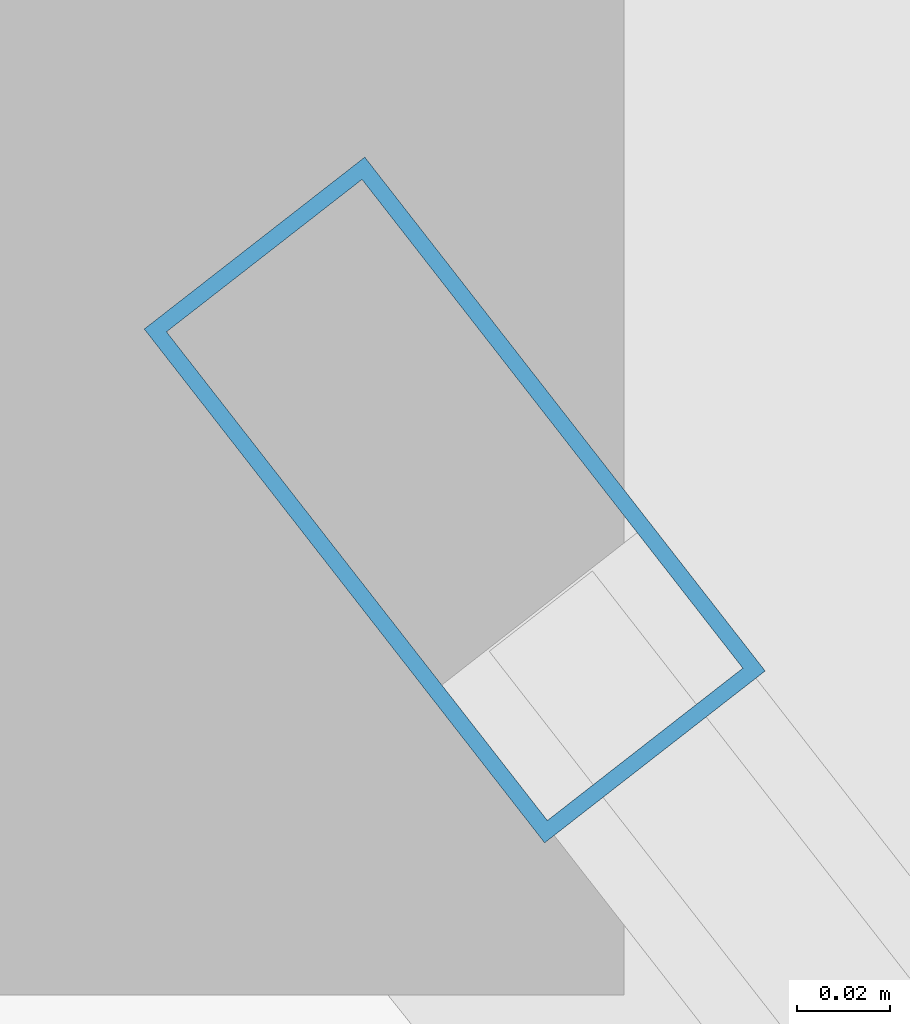
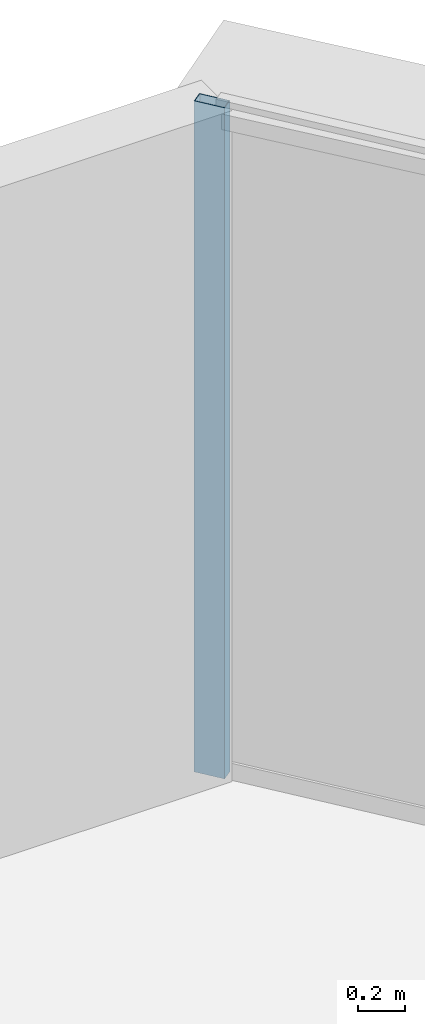
# One storey, part 25 of 37: 1 member, 1 element without a shape of its own.
"""IFC4 building model written with IfcOpenShell, lengths in metres."""

from ifc_helpers import new_model, si_unit, direction, frame, origin, origin_2d, place, context, subcontext, project, spatial, hollow_rectangle, extrude, source, transform, mapped, material, layer, layer_set, material_profile, profile_set, type_object, element, aggregate, save


model = new_model("IFC4")

# Units and contexts
model_context = context("Model", 3, precision=1e-05, world=origin(), true_north=direction((0.0, 1.0)))
body_context = subcontext(model_context, "Body", "Model", "MODEL_VIEW")
ifc_project = project(units=[si_unit("LENGTHUNIT", "METRE"), si_unit("AREAUNIT", "SQUARE_METRE"), si_unit("VOLUMEUNIT", "CUBIC_METRE"), si_unit("PLANEANGLEUNIT", "RADIAN"), si_unit("MASSUNIT", "GRAM", prefix="KILO"), si_unit("THERMODYNAMICTEMPERATUREUNIT", "KELVIN"), si_unit("POWERUNIT", "WATT")], contexts=[model_context])

# Site, building, storey
site_placement = place(None, origin())
site = spatial("IfcSite", under=ifc_project, at=site_placement, CompositionType="ELEMENT")
building_placement = place(site_placement, origin())
building = spatial("IfcBuilding", under=site, at=building_placement, Name="Yunzhuo Pagoda Commons", CompositionType="ELEMENT")
storey_placement = place(building_placement, frame((0.0, 0.0, 281.2900390625)))
storey = spatial("IfcBuildingStorey", under=building, at=storey_placement, Name="L70", CompositionType="ELEMENT", Elevation=281.2900390625)

# Curtain wall, member
ifc_material = material(Name="Anodized aluminium 6063-T6", Category="aluminium")
ifc_layer = layer(ifc_material, 0.139892578125)
ifc_layer_set = layer_set([ifc_layer], Name="Anodized aluminium 6063-T6")
curtain_wall_type = type_object("IfcCurtainWallType", Name="CW-HI High-Zone Ribbon Curtain Wall", PredefinedType="NOTDEFINED", material=ifc_layer_set)
curtain_wall_placement = place(storey_placement, origin())
curtain_wall = element("IfcCurtainWall", 1, at=curtain_wall_placement, inside=storey, type_object=curtain_wall_type, Name="L70 curtain wall CW-L70-F2B5", PredefinedType="NOTDEFINED")
ifc_material_profile = material_profile(ifc_material, hollow_rectangle(XDim=0.06005859375, YDim=0.139892578125, WallThickness=0.00341796875, at=origin_2d()), Name="Anodized aluminium 6063-T6")
ifc_profile_set = profile_set([ifc_material_profile], Name="Anodized aluminium 6063-T6")
member_type = type_object("IfcMemberType", Name="CW-HI-M Mullion RHS 140x60x3.5", PredefinedType="MULLION", material=ifc_profile_set)
shared_shape = source(origin(), body_context, "Body", "SweptSolid", [
    extrude(hollow_rectangle(XDim=0.06005859375, YDim=0.139892578125, WallThickness=0.00341796875, at=origin_2d()), origin(), (0.0, 0.0, 1.0), 3.469970703125),
])
member_placement = place(storey_placement, frame((51.595703125, 76.769287109375, 0.0), z_axis=(0.0, 0.0, 1.0), x_axis=(-0.78878314481, -0.614671579353, 0.0)))
member = element("IfcMember", 2, at=member_placement, type_object=member_type, Name="CW mullion 2", PredefinedType="MULLION", context=body_context, shape_type="MappedRepresentation", body=[
    mapped(shared_shape, transform((0.0, 0.0, 0.0), scale=1.0)),
])
aggregate(curtain_wall, [member])

save(model, "model.ifc")
